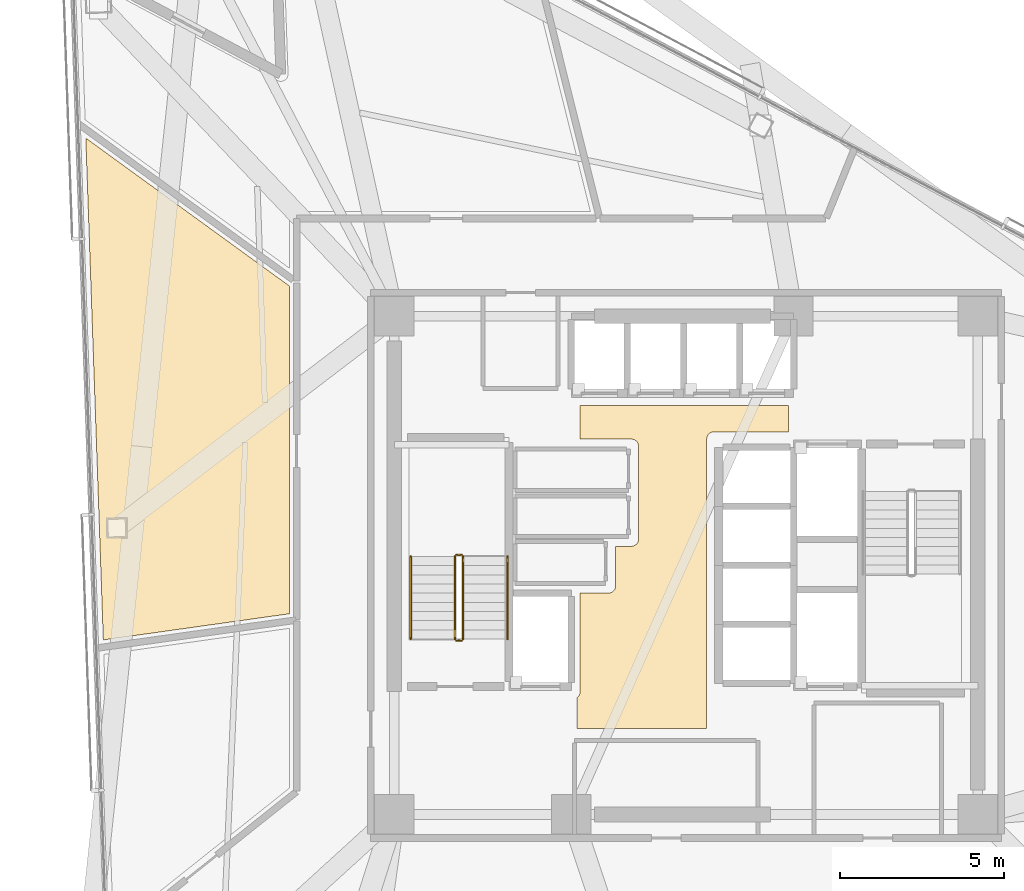
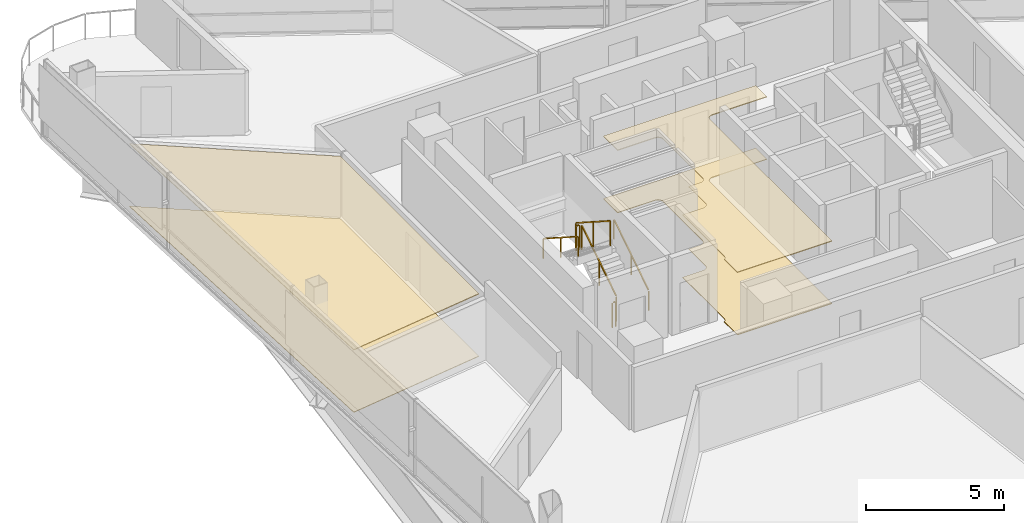
# One storey, part 18 of 20: 6 railings, 4 coverings.
"""IFC4 building model written with IfcOpenShell, lengths in metres."""

from ifc_helpers import new_model, si_unit, direction, frame, origin, origin_2d, place, context, subcontext, project, spatial, polyline, rectangle, outline, extrude, material, layer, layer_set, type_object, element, save


model = new_model("IFC4")

# Units and contexts
model_context = context("Model", 3, precision=1e-05, world=origin(), true_north=direction((0.0, 1.0)))
body_context = subcontext(model_context, "Body", "Model", "MODEL_VIEW")
ifc_project = project(units=[si_unit("LENGTHUNIT", "METRE"), si_unit("AREAUNIT", "SQUARE_METRE"), si_unit("VOLUMEUNIT", "CUBIC_METRE"), si_unit("PLANEANGLEUNIT", "RADIAN"), si_unit("MASSUNIT", "GRAM", prefix="KILO")], contexts=[model_context])

# Site, building, storey
site_placement = place(None, origin())
site = spatial("IfcSite", under=ifc_project, at=site_placement, CompositionType="ELEMENT")
building_placement = place(site_placement, origin())
building = spatial("IfcBuilding", under=site, at=building_placement, Name="Tharavind Bronze Gate", CompositionType="ELEMENT")
storey_placement = place(building_placement, frame((0.0, 0.0, 138.800048828125)))
storey = spatial("IfcBuildingStorey", under=building, at=storey_placement, Name="L35", CompositionType="ELEMENT", Elevation=138.800048828125)

# Coverings
ifc_material_1 = material(Name="Perforated Bronze Acoustic Panel", Category="bronze")
ifc_layer_1 = layer(ifc_material_1, 0.044921875)
ifc_layer_set_1 = layer_set([ifc_layer_1], Name="Perforated Bronze Acoustic Panel")
covering_type_1 = type_object("IfcCoveringType", Name="ACOUSTIC BRONZE BAFFLE CEILING", PredefinedType="CEILING", material=ifc_layer_set_1)
covering_1_placement = place(storey_placement, frame((0.0, 0.0, 2.75)))
element("IfcCovering", 1, at=covering_1_placement, inside=storey, type_object=covering_type_1, Name="L35-C-LL suspended ceiling", PredefinedType="CEILING", context=body_context, shape_type="SweptSolid", body=[
    extrude(outline(polyline([(-3.330078125, -4.97998046875), (0.6298828125, -4.97998046875), (0.6298828125, 3.85009765625), (0.631103515625, 3.87158203125), (0.63427734375, 3.892822265625), (0.639404296875, 3.913818359375), (0.646728515625, 3.93408203125), (0.656005859375, 3.95361328125), (0.6669921875, 3.97216796875), (0.679931640625, 3.989501953125), (0.6943359375, 4.005615234375), (0.71044921875, 4.02001953125), (0.727783203125, 4.032958984375), (0.746337890625, 4.0439453125), (0.765869140625, 4.05322265625), (0.7861328125, 4.060546875), (0.80712890625, 4.06591796875), (0.828369140625, 4.06884765625), (0.85009765625, 4.070068359375), (3.1298828125, 4.070068359375), (3.1298828125, 4.8798828125), (-3.22998046875, 4.8798828125), (-3.22998046875, 3.85009765625), (-1.669921875, 3.85009765625), (-1.6484375, 3.848876953125), (-1.627197265625, 3.845703125), (-1.606201171875, 3.840576171875), (-1.585693359375, 3.833251953125), (-1.56640625, 3.823974609375), (-1.5478515625, 3.81298828125), (-1.530517578125, 3.800048828125), (-1.514404296875, 3.78564453125), (-1.5, 3.76953125), (-1.487060546875, 3.752197265625), (-1.47607421875, 3.733642578125), (-1.466796875, 3.714111328125), (-1.45947265625, 3.69384765625), (-1.4541015625, 3.6728515625), (-1.451171875, 3.651611328125), (-1.449951171875, 3.6298828125), (-1.449951171875, 0.800048828125), (-1.451171875, 0.7783203125), (-1.4541015625, 0.757080078125), (-1.45947265625, 0.736083984375), (-1.466796875, 0.7158203125), (-1.47607421875, 0.6962890625), (-1.487060546875, 0.677734375), (-1.5, 0.660400390625), (-1.514404296875, 0.644287109375), (-1.530517578125, 0.6298828125), (-1.5478515625, 0.6171875), (-1.56640625, 0.60595703125), (-1.585693359375, 0.5966796875), (-1.606201171875, 0.589599609375), (-1.627197265625, 0.584228515625), (-1.6484375, 0.5810546875), (-1.669921875, 0.580078125), (-2.14990234375, 0.580078125), (-2.14990234375, -0.6298828125), (-2.151123046875, -0.651611328125), (-2.154296875, -0.6728515625), (-2.159423828125, -0.69384765625), (-2.166748046875, -0.714111328125), (-2.176025390625, -0.733642578125), (-2.18701171875, -0.752197265625), (-2.199951171875, -0.76953125), (-2.21435546875, -0.78564453125), (-2.23046875, -0.800048828125), (-2.247802734375, -0.81298828125), (-2.266357421875, -0.823974609375), (-2.285888671875, -0.833251953125), (-2.30615234375, -0.840576171875), (-2.3271484375, -0.845703125), (-2.348388671875, -0.848876953125), (-2.3701171875, -0.85009765625), (-3.22998046875, -0.85009765625), (-3.22998046875, -3.85009765625), (-3.231201171875, -3.87158203125), (-3.234130859375, -3.892822265625), (-3.239501953125, -3.913818359375), (-3.24658203125, -3.93408203125), (-3.256103515625, -3.95361328125), (-3.26708984375, -3.97216796875), (-3.27978515625, -3.989501953125), (-3.29443359375, -4.005615234375), (-3.310302734375, -4.02001953125), (-3.327880859375, -4.032958984375), (-3.330078125, -4.0341796875), (-3.330078125, -4.97998046875)])), origin(), (0.0, 0.0, 1.0), 0.034912109375),
])
ifc_material_2 = material(Name="Engineered Oak & Carpet Tile", Category="wood")
ifc_layer_2 = layer(ifc_material_2, 0.02490234375)
ifc_layer_set_2 = layer_set([ifc_layer_2], Name="Engineered Oak & Carpet Tile")
covering_type_2 = type_object("IfcCoveringType", Name="ENGINEERED TIMBER FLOORING", PredefinedType="FLOORING", material=ifc_layer_set_2)
covering_2_placement = place(storey_placement, origin())
element("IfcCovering", 2, at=covering_2_placement, inside=storey, type_object=covering_type_2, Name="L35-RM-03 floor finish", PredefinedType="FLOORING", context=body_context, shape_type="SweptSolid", body=[
    extrude(outline(polyline([(-17.77880859375, -2.276611328125), (-12.10009765625, -1.478515625), (-12.10009765625, 8.519287109375), (-18.3134765625, 13.03369140625), (-17.77880859375, -2.276611328125)])), origin(), (0.0, 0.0, 1.0), 0.02490234375),
])
ifc_material_3 = material(Name="Acoustic Gypsum Board", Category="gypsum")
ifc_layer_3 = layer(ifc_material_3, 0.030029296875)
ifc_layer_set_3 = layer_set([ifc_layer_3], Name="Acoustic Gypsum Board")
covering_type_3 = type_object("IfcCoveringType", Name="GYPSUM SUSPENDED CEILING", PredefinedType="CEILING", material=ifc_layer_set_3)
covering_3_placement = place(storey_placement, frame((0.0, 0.0, 2.75)))
element("IfcCovering", 3, at=covering_3_placement, inside=storey, type_object=covering_type_3, Name="L35-RM-03 suspended ceiling", PredefinedType="CEILING", context=body_context, shape_type="SweptSolid", body=[
    extrude(outline(polyline([(-17.77880859375, -2.276611328125), (-12.10009765625, -1.478515625), (-12.10009765625, 8.519287109375), (-18.3134765625, 13.03369140625), (-17.77880859375, -2.276611328125)])), origin(), (0.0, 0.0, 1.0), 0.034912109375),
])
ifc_material_4 = material(Name="Honed Travertine Limestone", Category="masonry")
ifc_layer_4 = layer(ifc_material_4, 0.030029296875)
ifc_layer_set_4 = layer_set([ifc_layer_4], Name="Honed Travertine Limestone")
covering_type_4 = type_object("IfcCoveringType", Name="HONED LIMESTONE FLOORING", PredefinedType="FLOORING", material=ifc_layer_set_4)
covering_4_placement = place(storey_placement, origin())
element("IfcCovering", 4, at=covering_4_placement, inside=storey, type_object=covering_type_4, Name="L35-C-LL floor finish", PredefinedType="FLOORING", context=body_context, shape_type="SweptSolid", body=[
    extrude(outline(polyline([(-3.330078125, -4.97998046875), (0.6298828125, -4.97998046875), (0.6298828125, 3.85009765625), (0.631103515625, 3.87158203125), (0.63427734375, 3.892822265625), (0.639404296875, 3.913818359375), (0.646728515625, 3.93408203125), (0.656005859375, 3.95361328125), (0.6669921875, 3.97216796875), (0.679931640625, 3.989501953125), (0.6943359375, 4.005615234375), (0.71044921875, 4.02001953125), (0.727783203125, 4.032958984375), (0.746337890625, 4.0439453125), (0.765869140625, 4.05322265625), (0.7861328125, 4.060546875), (0.80712890625, 4.06591796875), (0.828369140625, 4.06884765625), (0.85009765625, 4.070068359375), (3.1298828125, 4.070068359375), (3.1298828125, 4.8798828125), (-3.22998046875, 4.8798828125), (-3.22998046875, 3.85009765625), (-1.669921875, 3.85009765625), (-1.6484375, 3.848876953125), (-1.627197265625, 3.845703125), (-1.606201171875, 3.840576171875), (-1.585693359375, 3.833251953125), (-1.56640625, 3.823974609375), (-1.5478515625, 3.81298828125), (-1.530517578125, 3.800048828125), (-1.514404296875, 3.78564453125), (-1.5, 3.76953125), (-1.487060546875, 3.752197265625), (-1.47607421875, 3.733642578125), (-1.466796875, 3.714111328125), (-1.45947265625, 3.69384765625), (-1.4541015625, 3.6728515625), (-1.451171875, 3.651611328125), (-1.449951171875, 3.6298828125), (-1.449951171875, 0.800048828125), (-1.451171875, 0.7783203125), (-1.4541015625, 0.757080078125), (-1.45947265625, 0.736083984375), (-1.466796875, 0.7158203125), (-1.47607421875, 0.6962890625), (-1.487060546875, 0.677734375), (-1.5, 0.660400390625), (-1.514404296875, 0.644287109375), (-1.530517578125, 0.6298828125), (-1.5478515625, 0.6171875), (-1.56640625, 0.60595703125), (-1.585693359375, 0.5966796875), (-1.606201171875, 0.589599609375), (-1.627197265625, 0.584228515625), (-1.6484375, 0.5810546875), (-1.669921875, 0.580078125), (-2.14990234375, 0.580078125), (-2.14990234375, -0.6298828125), (-2.151123046875, -0.651611328125), (-2.154296875, -0.6728515625), (-2.159423828125, -0.69384765625), (-2.166748046875, -0.714111328125), (-2.176025390625, -0.733642578125), (-2.18701171875, -0.752197265625), (-2.199951171875, -0.76953125), (-2.21435546875, -0.78564453125), (-2.23046875, -0.800048828125), (-2.247802734375, -0.81298828125), (-2.266357421875, -0.823974609375), (-2.285888671875, -0.833251953125), (-2.30615234375, -0.840576171875), (-2.3271484375, -0.845703125), (-2.348388671875, -0.848876953125), (-2.3701171875, -0.85009765625), (-3.22998046875, -0.85009765625), (-3.22998046875, -3.85009765625), (-3.231201171875, -3.87158203125), (-3.234130859375, -3.892822265625), (-3.239501953125, -3.913818359375), (-3.24658203125, -3.93408203125), (-3.256103515625, -3.95361328125), (-3.26708984375, -3.97216796875), (-3.27978515625, -3.989501953125), (-3.29443359375, -4.005615234375), (-3.310302734375, -4.02001953125), (-3.327880859375, -4.032958984375), (-3.330078125, -4.0341796875), (-3.330078125, -4.97998046875)])), origin(), (0.0, 0.0, 1.0), 0.02490234375),
])

# Railings
ifc_material_5 = material(Name="Brushed Bronze Alloy", Category="metal")
railing_type_1 = type_object("IfcRailingType", Name="STAIR BRONZE HANDRAIL 900", PredefinedType="HANDRAIL", material=ifc_material_5)
railing_1_placement = place(storey_placement, frame((-5.449951171875, -2.25, 0.179931640625)))
element("IfcRailing", 5, at=railing_1_placement, inside=storey, type_object=railing_type_1, Name="L35 ST1 stair handrail 1", PredefinedType="HANDRAIL", context=body_context, shape_type="SweptSolid", body=[
    extrude(rectangle(XDim=0.048095703125, YDim=0.048095703125, at=origin_2d()), frame((0.0, 0.02685546875, 0.89306640625), z_axis=(0.0, 0.841162588446, 0.540782303519), x_axis=(-1.0, 0.0, 0.0)), (0.0, 0.0, 1.0), 2.931884765625),
    extrude(rectangle(XDim=0.0400390625, YDim=0.0400390625, at=origin_2d()), origin(), (0.0, 0.0, 1.0), 0.847900390625),
    extrude(rectangle(XDim=0.0400390625, YDim=0.0400390625, at=origin_2d()), frame((0.0, 1.260009765625, 0.81005859375)), (0.0, 0.0, 1.0), 0.847900390625),
    extrude(rectangle(XDim=0.0400390625, YDim=0.0400390625, at=origin_2d()), frame((0.0, 2.52001953125, 1.6201171875)), (0.0, 0.0, 1.0), 0.847900390625),
])
railing_2_placement = place(storey_placement, frame((-8.39990234375, 0.27001953125, 1.97998046875)))
element("IfcRailing", 6, at=railing_2_placement, inside=storey, type_object=railing_type_1, Name="L35 ST1 stair handrail 2", PredefinedType="HANDRAIL", context=body_context, shape_type="SweptSolid", body=[
    extrude(rectangle(XDim=0.048095703125, YDim=0.048095703125, at=origin_2d()), frame((0.0, -0.02685546875, 0.89306640625), z_axis=(0.0, -0.841199657755, 0.540724639528), x_axis=(1.0, 0.0, 0.0)), (0.0, 0.0, 1.0), 2.931640625),
    extrude(rectangle(XDim=0.0400390625, YDim=0.0400390625, at=origin_2d()), origin(), (0.0, 0.0, 1.0), 0.847900390625),
    extrude(rectangle(XDim=0.0400390625, YDim=0.0400390625, at=origin_2d()), frame((0.0, -1.260009765625, 0.81005859375)), (0.0, 0.0, 1.0), 0.847900390625),
    extrude(rectangle(XDim=0.0400390625, YDim=0.0400390625, at=origin_2d()), frame((0.0, -2.52001953125, 1.619873046875)), (0.0, 0.0, 1.0), 0.847900390625),
])
railing_type_2 = type_object("IfcRailingType", Name="STAIR WELL GUARD RAILING 1120", PredefinedType="GUARDRAIL", material=ifc_material_5)
railing_3_placement = place(storey_placement, frame((-6.800048828125, -2.25, 0.179931640625)))
element("IfcRailing", 7, at=railing_3_placement, inside=storey, type_object=railing_type_2, Name="L35 ST1 stair guard 1", PredefinedType="GUARDRAIL", context=body_context, shape_type="SweptSolid", body=[
    extrude(rectangle(XDim=0.048095703125, YDim=0.048095703125, at=origin_2d()), frame((0.0, 0.02685546875, 1.11328125), z_axis=(0.0, 0.841162588446, 0.540782303519), x_axis=(-1.0, 0.0, 0.0)), (0.0, 0.0, 1.0), 2.931884765625),
    extrude(rectangle(XDim=0.0400390625, YDim=0.0400390625, at=origin_2d()), origin(), (0.0, 0.0, 1.0), 1.068115234375),
    extrude(rectangle(XDim=0.0400390625, YDim=0.0400390625, at=origin_2d()), frame((0.0, 1.260009765625, 0.81005859375)), (0.0, 0.0, 1.0), 1.068115234375),
    extrude(rectangle(XDim=0.0400390625, YDim=0.0400390625, at=origin_2d()), frame((0.0, 2.52001953125, 1.6201171875)), (0.0, 0.0, 1.0), 1.068115234375),
])
railing_4_placement = place(storey_placement, frame((-6.85009765625, 0.320068359375, 1.800048828125)))
element("IfcRailing", 8, at=railing_4_placement, inside=storey, type_object=railing_type_2, Name="L35 ST1 stair guard 2", PredefinedType="GUARDRAIL", context=body_context, shape_type="SweptSolid", body=[
    extrude(rectangle(XDim=0.048095703125, YDim=0.048095703125, at=origin_2d()), frame((-0.031982421875, 0.0, 1.09619140625), z_axis=(-1.0, 0.0, 0.0), x_axis=(0.0, -1.0, 0.0)), (0.0, 0.0, 1.0), 0.0859375),
    extrude(rectangle(XDim=0.0400390625, YDim=0.0400390625, at=origin_2d()), origin(), (0.0, 0.0, 1.0), 1.068115234375),
    extrude(rectangle(XDim=0.0400390625, YDim=0.0400390625, at=origin_2d()), frame((-0.14990234375, 0.0, 0.0)), (0.0, 0.0, 1.0), 1.068115234375),
])
railing_5_placement = place(storey_placement, frame((-7.050048828125, 0.27001953125, 1.97998046875)))
element("IfcRailing", 9, at=railing_5_placement, inside=storey, type_object=railing_type_2, Name="L35 ST1 stair guard 3", PredefinedType="GUARDRAIL", context=body_context, shape_type="SweptSolid", body=[
    extrude(rectangle(XDim=0.048095703125, YDim=0.048095703125, at=origin_2d()), frame((0.0, -0.02685546875, 1.11328125), z_axis=(0.0, -0.841199657755, 0.540724639528), x_axis=(1.0, 0.0, 0.0)), (0.0, 0.0, 1.0), 2.931640625),
    extrude(rectangle(XDim=0.0400390625, YDim=0.0400390625, at=origin_2d()), origin(), (0.0, 0.0, 1.0), 1.068115234375),
    extrude(rectangle(XDim=0.0400390625, YDim=0.0400390625, at=origin_2d()), frame((0.0, -1.260009765625, 0.81005859375)), (0.0, 0.0, 1.0), 1.068115234375),
    extrude(rectangle(XDim=0.0400390625, YDim=0.0400390625, at=origin_2d()), frame((0.0, -2.52001953125, 1.619873046875)), (0.0, 0.0, 1.0), 1.068115234375),
])
railing_6_placement = place(storey_placement, frame((-6.85009765625, -2.300048828125, 0.0)))
element("IfcRailing", 10, at=railing_6_placement, inside=storey, type_object=railing_type_2, Name="L35 ST1 stair guard 4", PredefinedType="GUARDRAIL", context=body_context, shape_type="SweptSolid", body=[
    extrude(rectangle(XDim=0.048095703125, YDim=0.048095703125, at=origin_2d()), frame((-0.031982421875, 0.0, 1.09619140625), z_axis=(-1.0, 0.0, 0.0), x_axis=(0.0, -1.0, 0.0)), (0.0, 0.0, 1.0), 0.0859375),
    extrude(rectangle(XDim=0.0400390625, YDim=0.0400390625, at=origin_2d()), origin(), (0.0, 0.0, 1.0), 1.068115234375),
    extrude(rectangle(XDim=0.0400390625, YDim=0.0400390625, at=origin_2d()), frame((-0.14990234375, 0.0, 0.0)), (0.0, 0.0, 1.0), 1.068115234375),
])

save(model, "model.ifc")
